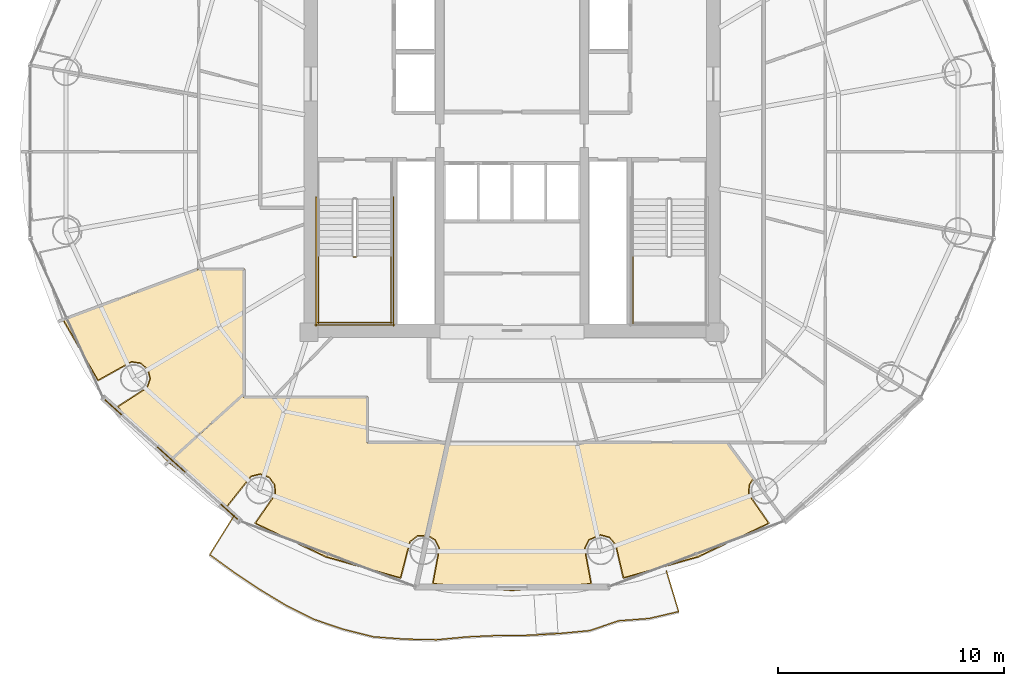
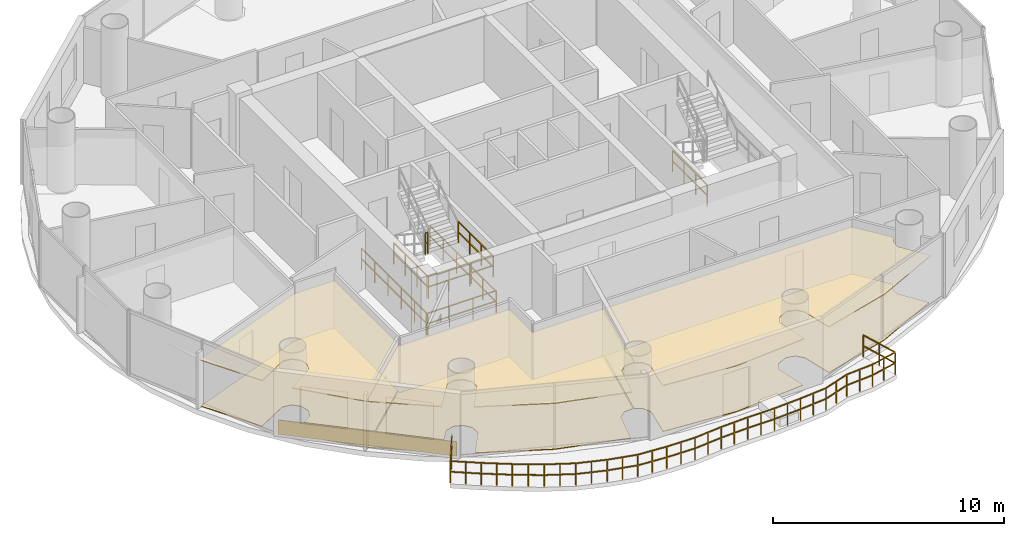
# One storey, part 24 of 26: 9 railings, 7 coverings.
"""IFC4 building model written with IfcOpenShell, lengths in metres."""

from ifc_helpers import new_model, si_unit, direction, frame, origin, origin_2d, place, context, subcontext, project, spatial, polyline, rectangle, outline, extrude, source, transform, mapped, material, layer, layer_set, type_object, element, save


model = new_model("IFC4")

# Units and contexts
model_context = context("Model", 3, precision=1e-05, world=origin(), true_north=direction((-0.2419218956, 0.970295726276)))
body_context = subcontext(model_context, "Body", "Model", "MODEL_VIEW")
ifc_project = project(units=[si_unit("LENGTHUNIT", "METRE"), si_unit("AREAUNIT", "SQUARE_METRE"), si_unit("VOLUMEUNIT", "CUBIC_METRE"), si_unit("PLANEANGLEUNIT", "RADIAN"), si_unit("MASSUNIT", "GRAM", prefix="KILO")], contexts=[model_context])

# Site, building, storey
site_placement = place(None, origin())
site = spatial("IfcSite", under=ifc_project, at=site_placement, CompositionType="ELEMENT")
building_placement = place(site_placement, origin())
building = spatial("IfcBuilding", under=site, at=building_placement, Name="Cobrevalo Terracotta Tower", CompositionType="ELEMENT")
storey_placement = place(building_placement, frame((0.0, 0.0, 228.199951171875)))
storey = spatial("IfcBuildingStorey", under=building, at=storey_placement, Name="L60", CompositionType="ELEMENT", Elevation=228.199951171875)

# Railing
ifc_material_1 = material(Name="Laminated structural glass and stainless steel", Category="steel")
railing_type_1 = type_object("IfcRailingType", Name="Balcony lobe structural glass & terracotta-cap balustrade 1180 mm", PredefinedType="BALUSTRADE", material=ifc_material_1)
railing_1_placement = place(storey_placement, frame((25.697021484375, 10.69091796875, 0.0)))
element("IfcRailing", 1, at=railing_1_placement, inside=storey, type_object=railing_type_1, Name="L60 spiralling balcony lobe balustrade 2", PredefinedType="BALUSTRADE", context=body_context, shape_type="SweptSolid", body=[
    extrude(rectangle(XDim=0.048095703125, YDim=0.048095703125, at=origin_2d()), frame((0.0, 0.0, 1.15576171875), z_axis=(-0.529423535717, -0.848357660323, 0.0), x_axis=(0.848357660323, -0.529423535717, 0.0)), (0.0, 0.0, 1.0), 2.059814453125),
    extrude(rectangle(XDim=0.048095703125, YDim=0.048095703125, at=origin_2d()), frame((0.0, 0.0, 0.58984375), z_axis=(-0.529423535717, -0.848357660323, 0.0), x_axis=(0.848357660323, -0.529423535717, 0.0)), (0.0, 0.0, 1.0), 2.059814453125),
    extrude(rectangle(XDim=0.048095703125, YDim=0.048095703125, at=origin_2d()), frame((-1.090576171875, -1.74755859375, 1.15576171875), z_axis=(0.809333657357, -0.587349156013, 0.0), x_axis=(0.587349156013, 0.809333657357, 0.0)), (0.0, 0.0, 1.0), 1.341796875),
    extrude(rectangle(XDim=0.048095703125, YDim=0.048095703125, at=origin_2d()), frame((-1.090576171875, -1.74755859375, 0.58984375), z_axis=(0.809333657357, -0.587349156013, 0.0), x_axis=(0.587349156013, 0.809333657357, 0.0)), (0.0, 0.0, 1.0), 1.341796875),
    extrude(rectangle(XDim=0.048095703125, YDim=0.048095703125, at=origin_2d()), frame((-0.004638671875, -2.53564453125, 1.15576171875), z_axis=(0.831994903251, -0.554783273868, 0.0), x_axis=(0.554783273868, 0.831994903251, 0.0)), (0.0, 0.0, 1.0), 1.356201171875),
    extrude(rectangle(XDim=0.048095703125, YDim=0.048095703125, at=origin_2d()), frame((-0.004638671875, -2.53564453125, 0.58984375), z_axis=(0.831994903251, -0.554783273868, 0.0), x_axis=(0.554783273868, 0.831994903251, 0.0)), (0.0, 0.0, 1.0), 1.356201171875),
    extrude(rectangle(XDim=0.048095703125, YDim=0.048095703125, at=origin_2d()), frame((1.123779296875, -3.2880859375, 1.15576171875), z_axis=(0.855794215177, -0.517316403441, 0.0), x_axis=(0.517316403441, 0.855794215177, 0.0)), (0.0, 0.0, 1.0), 1.373291015625),
    extrude(rectangle(XDim=0.048095703125, YDim=0.048095703125, at=origin_2d()), frame((1.123779296875, -3.2880859375, 0.58984375), z_axis=(0.855794215177, -0.517316403441, 0.0), x_axis=(0.517316403441, 0.855794215177, 0.0)), (0.0, 0.0, 1.0), 1.373291015625),
    extrude(rectangle(XDim=0.048095703125, YDim=0.048095703125, at=origin_2d()), frame((2.299072265625, -3.99853515625, 1.15576171875), z_axis=(0.894498059169, -0.447071831078, 0.0), x_axis=(0.447071831078, 0.894498059169, 0.0)), (0.0, 0.0, 1.0), 1.377685546875),
    extrude(rectangle(XDim=0.048095703125, YDim=0.048095703125, at=origin_2d()), frame((2.299072265625, -3.99853515625, 0.58984375), z_axis=(0.894498059169, -0.447071831078, 0.0), x_axis=(0.447071831078, 0.894498059169, 0.0)), (0.0, 0.0, 1.0), 1.377685546875),
    extrude(rectangle(XDim=0.048095703125, YDim=0.048095703125, at=origin_2d()), frame((3.531494140625, -4.614501953125, 1.15576171875), z_axis=(0.947154951808, -0.320776397613, 0.0), x_axis=(0.320776397613, 0.947154951808, 0.0)), (0.0, 0.0, 1.0), 1.383544921875),
    extrude(rectangle(XDim=0.048095703125, YDim=0.048095703125, at=origin_2d()), frame((3.531494140625, -4.614501953125, 0.58984375), z_axis=(0.947154951808, -0.320776397613, 0.0), x_axis=(0.320776397613, 0.947154951808, 0.0)), (0.0, 0.0, 1.0), 1.383544921875),
    extrude(rectangle(XDim=0.048095703125, YDim=0.048095703125, at=origin_2d()), frame((4.842041015625, -5.058349609375, 1.15576171875), z_axis=(0.970886062463, -0.239541757769, 0.0), x_axis=(0.239541757769, 0.970886062463, 0.0)), (0.0, 0.0, 1.0), 1.382080078125),
    extrude(rectangle(XDim=0.048095703125, YDim=0.048095703125, at=origin_2d()), frame((4.842041015625, -5.058349609375, 0.58984375), z_axis=(0.970886062463, -0.239541757769, 0.0), x_axis=(0.239541757769, 0.970886062463, 0.0)), (0.0, 0.0, 1.0), 1.382080078125),
    extrude(rectangle(XDim=0.048095703125, YDim=0.048095703125, at=origin_2d()), frame((6.183837890625, -5.389404296875, 1.15576171875), z_axis=(0.997387171065, -0.072241476964, 0.0), x_axis=(0.072241476964, 0.997387171065, 0.0)), (0.0, 0.0, 1.0), 1.395751953125),
    extrude(rectangle(XDim=0.048095703125, YDim=0.048095703125, at=origin_2d()), frame((6.183837890625, -5.389404296875, 0.58984375), z_axis=(0.997387171065, -0.072241476964, 0.0), x_axis=(0.072241476964, 0.997387171065, 0.0)), (0.0, 0.0, 1.0), 1.395751953125),
    extrude(rectangle(XDim=0.048095703125, YDim=0.048095703125, at=origin_2d()), frame((7.575927734375, -5.490234375, 1.15576171875), z_axis=(0.999815530677, -0.019206889821, 0.0), x_axis=(0.019206889821, 0.999815530677, 0.0)), (0.0, 0.0, 1.0), 1.385498046875),
    extrude(rectangle(XDim=0.048095703125, YDim=0.048095703125, at=origin_2d()), frame((7.575927734375, -5.490234375, 0.58984375), z_axis=(0.999815530677, -0.019206889821, 0.0), x_axis=(0.019206889821, 0.999815530677, 0.0)), (0.0, 0.0, 1.0), 1.385498046875),
    extrude(rectangle(XDim=0.048095703125, YDim=0.048095703125, at=origin_2d()), frame((8.961181640625, -5.516845703125, 1.15576171875), z_axis=(0.995635757164, 0.093324375473, 0.0), x_axis=(-0.093324375473, 0.995635757164, 0.0)), (0.0, 0.0, 1.0), 1.38916015625),
    extrude(rectangle(XDim=0.048095703125, YDim=0.048095703125, at=origin_2d()), frame((8.961181640625, -5.516845703125, 0.58984375), z_axis=(0.995635757164, 0.093324375473, 0.0), x_axis=(-0.093324375473, 0.995635757164, 0.0)), (0.0, 0.0, 1.0), 1.38916015625),
    extrude(rectangle(XDim=0.048095703125, YDim=0.048095703125, at=origin_2d()), frame((10.34423828125, -5.38720703125, 1.15576171875), z_axis=(0.999032993426, 0.043966783436, 0.0), x_axis=(-0.043966783436, 0.999032993426, 0.0)), (0.0, 0.0, 1.0), 1.3603515625),
    extrude(rectangle(XDim=0.048095703125, YDim=0.048095703125, at=origin_2d()), frame((10.34423828125, -5.38720703125, 0.58984375), z_axis=(0.999032993426, 0.043966783436, 0.0), x_axis=(-0.043966783436, 0.999032993426, 0.0)), (0.0, 0.0, 1.0), 1.3603515625),
    extrude(rectangle(XDim=0.048095703125, YDim=0.048095703125, at=origin_2d()), frame((11.703369140625, -5.327392578125, 1.15576171875), z_axis=(0.999979935495, 0.006334714523, 0.0), x_axis=(-0.006334714523, 0.999979935495, 0.0)), (0.0, 0.0, 1.0), 1.348876953125),
    extrude(rectangle(XDim=0.048095703125, YDim=0.048095703125, at=origin_2d()), frame((11.703369140625, -5.327392578125, 0.58984375), z_axis=(0.999979935495, 0.006334714523, 0.0), x_axis=(-0.006334714523, 0.999979935495, 0.0)), (0.0, 0.0, 1.0), 1.348876953125),
    extrude(rectangle(XDim=0.048095703125, YDim=0.048095703125, at=origin_2d()), frame((13.05224609375, -5.31884765625, 1.15576171875), z_axis=(0.998263138244, 0.058912705117, 0.0), x_axis=(-0.058912705117, 0.998263138244, 0.0)), (0.0, 0.0, 1.0), 1.35107421875),
    extrude(rectangle(XDim=0.048095703125, YDim=0.048095703125, at=origin_2d()), frame((13.05224609375, -5.31884765625, 0.58984375), z_axis=(0.998263138244, 0.058912705117, 0.0), x_axis=(-0.058912705117, 0.998263138244, 0.0)), (0.0, 0.0, 1.0), 1.35107421875),
    extrude(rectangle(XDim=0.048095703125, YDim=0.048095703125, at=origin_2d()), frame((14.40087890625, -5.2392578125, 1.15576171875), z_axis=(0.995540121308, 0.094339105711, 0.0), x_axis=(-0.094339105711, 0.995540121308, 0.0)), (0.0, 0.0, 1.0), 1.348388671875),
    extrude(rectangle(XDim=0.048095703125, YDim=0.048095703125, at=origin_2d()), frame((14.40087890625, -5.2392578125, 0.58984375), z_axis=(0.995540121308, 0.094339105711, 0.0), x_axis=(-0.094339105711, 0.995540121308, 0.0)), (0.0, 0.0, 1.0), 1.348388671875),
    extrude(rectangle(XDim=0.048095703125, YDim=0.048095703125, at=origin_2d()), frame((15.7431640625, -5.112060546875, 1.15576171875), z_axis=(0.947383494809, 0.320100786883, 0.0), x_axis=(-0.320100786883, 0.947383494809, 0.0)), (0.0, 0.0, 1.0), 1.360595703125),
    extrude(rectangle(XDim=0.048095703125, YDim=0.048095703125, at=origin_2d()), frame((15.7431640625, -5.112060546875, 0.58984375), z_axis=(0.947383494809, 0.320100786883, 0.0), x_axis=(-0.320100786883, 0.947383494809, 0.0)), (0.0, 0.0, 1.0), 1.360595703125),
    extrude(rectangle(XDim=0.048095703125, YDim=0.048095703125, at=origin_2d()), frame((17.0322265625, -4.676513671875, 1.15576171875), z_axis=(0.997164886947, 0.075247513184, 0.0), x_axis=(-0.075247513184, 0.997164886947, 0.0)), (0.0, 0.0, 1.0), 1.35302734375),
    extrude(rectangle(XDim=0.048095703125, YDim=0.048095703125, at=origin_2d()), frame((17.0322265625, -4.676513671875, 0.58984375), z_axis=(0.997164886947, 0.075247513184, 0.0), x_axis=(-0.075247513184, 0.997164886947, 0.0)), (0.0, 0.0, 1.0), 1.35302734375),
    extrude(rectangle(XDim=0.048095703125, YDim=0.048095703125, at=origin_2d()), frame((18.38134765625, -4.57470703125, 1.15576171875), z_axis=(0.973826430355, 0.227292946528, 0.0), x_axis=(-0.227292946528, 0.973826430355, 0.0)), (0.0, 0.0, 1.0), 1.340576171875),
    extrude(rectangle(XDim=0.048095703125, YDim=0.048095703125, at=origin_2d()), frame((18.38134765625, -4.57470703125, 0.58984375), z_axis=(0.973826430355, 0.227292946528, 0.0), x_axis=(-0.227292946528, 0.973826430355, 0.0)), (0.0, 0.0, 1.0), 1.340576171875),
    extrude(rectangle(XDim=0.048095703125, YDim=0.048095703125, at=origin_2d()), frame((19.686767578125, -4.27001953125, 1.15576171875), z_axis=(-0.28821217892, 0.957566572058, 0.0), x_axis=(-0.957566572058, -0.28821217892, 0.0)), (0.0, 0.0, 1.0), 1.8916015625),
    extrude(rectangle(XDim=0.048095703125, YDim=0.048095703125, at=origin_2d()), frame((19.686767578125, -4.27001953125, 0.58984375), z_axis=(-0.28821217892, 0.957566572058, 0.0), x_axis=(-0.957566572058, -0.28821217892, 0.0)), (0.0, 0.0, 1.0), 1.8916015625),
    extrude(rectangle(XDim=0.0419921875, YDim=0.0419921875, at=origin_2d()), origin(), (0.0, 0.0, 1.0), 1.1318359375),
    extrude(rectangle(XDim=0.0419921875, YDim=0.0419921875, at=origin_2d()), frame((-0.54541015625, -0.873779296875, 0.0)), (0.0, 0.0, 1.0), 1.1318359375),
    extrude(rectangle(XDim=0.0419921875, YDim=0.0419921875, at=origin_2d()), frame((-1.090576171875, -1.74755859375, 0.0)), (0.0, 0.0, 1.0), 1.1318359375),
    extrude(rectangle(XDim=0.0419921875, YDim=0.0419921875, at=origin_2d()), frame((-0.547607421875, -2.1416015625, 0.0)), (0.0, 0.0, 1.0), 1.1318359375),
    extrude(rectangle(XDim=0.0419921875, YDim=0.0419921875, at=origin_2d()), frame((-0.004638671875, -2.53564453125, 0.0)), (0.0, 0.0, 1.0), 1.1318359375),
    extrude(rectangle(XDim=0.0419921875, YDim=0.0419921875, at=origin_2d()), frame((0.5595703125, -2.911865234375, 0.0)), (0.0, 0.0, 1.0), 1.1318359375),
    extrude(rectangle(XDim=0.0419921875, YDim=0.0419921875, at=origin_2d()), frame((1.123779296875, -3.2880859375, 0.0)), (0.0, 0.0, 1.0), 1.1318359375),
    extrude(rectangle(XDim=0.0419921875, YDim=0.0419921875, at=origin_2d()), frame((1.71142578125, -3.643310546875, 0.0)), (0.0, 0.0, 1.0), 1.1318359375),
    extrude(rectangle(XDim=0.0419921875, YDim=0.0419921875, at=origin_2d()), frame((2.299072265625, -3.99853515625, 0.0)), (0.0, 0.0, 1.0), 1.1318359375),
    extrude(rectangle(XDim=0.0419921875, YDim=0.0419921875, at=origin_2d()), frame((2.915283203125, -4.306640625, 0.0)), (0.0, 0.0, 1.0), 1.1318359375),
    extrude(rectangle(XDim=0.0419921875, YDim=0.0419921875, at=origin_2d()), frame((3.531494140625, -4.614501953125, 0.0)), (0.0, 0.0, 1.0), 1.1318359375),
    extrude(rectangle(XDim=0.0419921875, YDim=0.0419921875, at=origin_2d()), frame((4.186767578125, -4.83642578125, 0.0)), (0.0, 0.0, 1.0), 1.1318359375),
    extrude(rectangle(XDim=0.0419921875, YDim=0.0419921875, at=origin_2d()), frame((4.842041015625, -5.058349609375, 0.0)), (0.0, 0.0, 1.0), 1.1318359375),
    extrude(rectangle(XDim=0.0419921875, YDim=0.0419921875, at=origin_2d()), frame((5.512939453125, -5.223876953125, 0.0)), (0.0, 0.0, 1.0), 1.1318359375),
    extrude(rectangle(XDim=0.0419921875, YDim=0.0419921875, at=origin_2d()), frame((6.183837890625, -5.389404296875, 0.0)), (0.0, 0.0, 1.0), 1.1318359375),
    extrude(rectangle(XDim=0.0419921875, YDim=0.0419921875, at=origin_2d()), frame((6.8798828125, -5.43994140625, 0.0)), (0.0, 0.0, 1.0), 1.1318359375),
    extrude(rectangle(XDim=0.0419921875, YDim=0.0419921875, at=origin_2d()), frame((7.575927734375, -5.490234375, 0.0)), (0.0, 0.0, 1.0), 1.1318359375),
    extrude(rectangle(XDim=0.0419921875, YDim=0.0419921875, at=origin_2d()), frame((8.2685546875, -5.50341796875, 0.0)), (0.0, 0.0, 1.0), 1.1318359375),
    extrude(rectangle(XDim=0.0419921875, YDim=0.0419921875, at=origin_2d()), frame((8.961181640625, -5.516845703125, 0.0)), (0.0, 0.0, 1.0), 1.1318359375),
    extrude(rectangle(XDim=0.0419921875, YDim=0.0419921875, at=origin_2d()), frame((9.65283203125, -5.4521484375, 0.0)), (0.0, 0.0, 1.0), 1.1318359375),
    extrude(rectangle(XDim=0.0419921875, YDim=0.0419921875, at=origin_2d()), frame((10.34423828125, -5.38720703125, 0.0)), (0.0, 0.0, 1.0), 1.1318359375),
    extrude(rectangle(XDim=0.0419921875, YDim=0.0419921875, at=origin_2d()), frame((11.02392578125, -5.357421875, 0.0)), (0.0, 0.0, 1.0), 1.1318359375),
    extrude(rectangle(XDim=0.0419921875, YDim=0.0419921875, at=origin_2d()), frame((11.703369140625, -5.327392578125, 0.0)), (0.0, 0.0, 1.0), 1.1318359375),
    extrude(rectangle(XDim=0.0419921875, YDim=0.0419921875, at=origin_2d()), frame((12.3779296875, -5.3232421875, 0.0)), (0.0, 0.0, 1.0), 1.1318359375),
    extrude(rectangle(XDim=0.0419921875, YDim=0.0419921875, at=origin_2d()), frame((13.05224609375, -5.31884765625, 0.0)), (0.0, 0.0, 1.0), 1.1318359375),
    extrude(rectangle(XDim=0.0419921875, YDim=0.0419921875, at=origin_2d()), frame((13.7265625, -5.279052734375, 0.0)), (0.0, 0.0, 1.0), 1.1318359375),
    extrude(rectangle(XDim=0.0419921875, YDim=0.0419921875, at=origin_2d()), frame((14.40087890625, -5.2392578125, 0.0)), (0.0, 0.0, 1.0), 1.1318359375),
    extrude(rectangle(XDim=0.0419921875, YDim=0.0419921875, at=origin_2d()), frame((15.072021484375, -5.17578125, 0.0)), (0.0, 0.0, 1.0), 1.1318359375),
    extrude(rectangle(XDim=0.0419921875, YDim=0.0419921875, at=origin_2d()), frame((15.7431640625, -5.112060546875, 0.0)), (0.0, 0.0, 1.0), 1.1318359375),
    extrude(rectangle(XDim=0.0419921875, YDim=0.0419921875, at=origin_2d()), frame((16.3876953125, -4.894287109375, 0.0)), (0.0, 0.0, 1.0), 1.1318359375),
    extrude(rectangle(XDim=0.0419921875, YDim=0.0419921875, at=origin_2d()), frame((17.0322265625, -4.676513671875, 0.0)), (0.0, 0.0, 1.0), 1.1318359375),
    extrude(rectangle(XDim=0.0419921875, YDim=0.0419921875, at=origin_2d()), frame((17.706787109375, -4.62548828125, 0.0)), (0.0, 0.0, 1.0), 1.1318359375),
    extrude(rectangle(XDim=0.0419921875, YDim=0.0419921875, at=origin_2d()), frame((18.38134765625, -4.57470703125, 0.0)), (0.0, 0.0, 1.0), 1.1318359375),
    extrude(rectangle(XDim=0.0419921875, YDim=0.0419921875, at=origin_2d()), frame((19.0341796875, -4.42236328125, 0.0)), (0.0, 0.0, 1.0), 1.1318359375),
    extrude(rectangle(XDim=0.0419921875, YDim=0.0419921875, at=origin_2d()), frame((19.686767578125, -4.27001953125, 0.0)), (0.0, 0.0, 1.0), 1.1318359375),
    extrude(rectangle(XDim=0.0419921875, YDim=0.0419921875, at=origin_2d()), frame((19.4140625, -3.3642578125, 0.0)), (0.0, 0.0, 1.0), 1.1318359375),
    extrude(rectangle(XDim=0.0419921875, YDim=0.0419921875, at=origin_2d()), frame((19.1416015625, -2.458740234375, 0.0)), (0.0, 0.0, 1.0), 1.1318359375),
])

# Coverings
ifc_material_2 = material(Name="Engineered Brazilian hardwood flooring", Category="wood")
ifc_layer_1 = layer(ifc_material_2, 0.028076171875)
ifc_layer_set_1 = layer_set([ifc_layer_1], Name="Engineered Brazilian hardwood flooring")
covering_type_1 = type_object("IfcCoveringType", Name="Engineered Hardwood Suite Flooring 28", PredefinedType="FLOORING", material=ifc_layer_set_1)
covering_1_placement = place(storey_placement, origin())
element("IfcCovering", 2, at=covering_1_placement, inside=storey, type_object=covering_type_1, Name="Flat L60A Penthouse Family Lounge floor finish", PredefinedType="FLOORING", context=body_context, shape_type="SweptSolid", body=[
    extrude(outline(polyline([(22.779052734375, 13.072265625), (20.546875, 15.4912109375), (21.840087890625, 16.330810546875), (21.985107421875, 16.735107421875), (21.880859375, 17.152099609375), (21.562744140625, 17.44091796875), (21.1376953125, 17.504150390625), (19.662109375, 16.6865234375), (18.132568359375, 19.342041015625), (24.094970703125, 21.57373046875), (26.10498046875, 21.570068359375), (26.10498046875, 16.077880859375), (22.779052734375, 13.072265625)])), origin(), (0.0, 0.0, 1.0), 0.030029296875),
])
covering_2_placement = place(storey_placement, origin())
element("IfcCovering", 3, at=covering_2_placement, inside=storey, type_object=covering_type_1, Name="Flat L60A Private Cinema Room floor finish", PredefinedType="FLOORING", context=body_context, shape_type="SweptSolid", body=[
    extrude(outline(polyline([(26.6455078125, 10.34033203125), (27.522705078125, 11.610107421875), (27.502685546875, 12.039306640625), (27.247802734375, 12.38525390625), (26.843505859375, 12.531005859375), (26.426513671875, 12.427734375), (25.3720703125, 11.108154296875), (22.810302734375, 13.046630859375), (26.10498046875, 16.02392578125), (26.10498046875, 15.905029296875), (31.570068359375, 15.905029296875), (31.570068359375, 13.89501953125), (35.138916015625, 13.89501953125), (34.240234375, 9.812255859375), (33.801025390625, 9.78662109375), (33.462890625, 9.521484375), (33.0517578125, 7.93017578125), (29.763916015625, 8.858642578125), (26.6455078125, 10.34033203125)])), origin(), (0.0, 0.0, 1.0), 0.030029296875),
])
covering_3_placement = place(storey_placement, origin())
element("IfcCovering", 4, at=covering_3_placement, inside=storey, type_object=covering_type_1, Name="Flat L60B Living and Dining Room floor finish", PredefinedType="FLOORING", context=body_context, shape_type="SweptSolid", body=[
    extrude(outline(polyline([(46.236083984375, 8.858642578125), (42.9482421875, 7.93017578125), (42.6083984375, 9.39501953125), (42.32861328125, 9.72119140625), (41.91455078125, 9.836669921875), (41.396240234375, 9.6083984375), (41.2021484375, 9.22509765625), (41.490234375, 7.66845703125), (38.0, 7.380126953125), (34.509765625, 7.66845703125), (34.7978515625, 9.22509765625), (34.603759765625, 9.6083984375), (34.279052734375, 9.802978515625), (35.179931640625, 13.89501953125), (47.51708984375, 13.89501953125), (48.681396484375, 12.320556640625), (48.497314453125, 12.039306640625), (48.477294921875, 11.610107421875), (49.3544921875, 10.34033203125), (46.236083984375, 8.858642578125)])), origin(), (0.0, 0.0, 1.0), 0.030029296875),
])
ifc_material_3 = material(Name="Acoustic perforated gypsum ceiling", Category="gypsum")
ifc_layer_2 = layer(ifc_material_3, 0.050048828125)
ifc_layer_set_2 = layer_set([ifc_layer_2], Name="Acoustic perforated gypsum ceiling")
covering_type_2 = type_object("IfcCoveringType", Name="Perforated Acoustic Gypsum Ceiling 50", PredefinedType="CEILING", material=ifc_layer_set_2)
covering_4_placement = place(storey_placement, frame((0.0, 0.0, 2.445068359375)))
element("IfcCovering", 5, at=covering_4_placement, inside=storey, type_object=covering_type_2, Name="Flat L60A Penthouse Family Lounge acoustic ceiling", PredefinedType="CEILING", context=body_context, shape_type="SweptSolid", body=[
    extrude(outline(polyline([(22.77685546875, 13.009765625), (20.481201171875, 15.50439453125), (21.8037109375, 16.357666015625), (21.93994140625, 16.737548828125), (21.842041015625, 17.12890625), (21.54345703125, 17.39990234375), (21.144287109375, 17.45947265625), (19.650146484375, 16.626953125), (18.068115234375, 19.365966796875), (24.139892578125, 21.638671875), (26.14990234375, 21.614990234375), (26.14990234375, 16.057861328125), (22.77685546875, 13.009765625)])), origin(), (0.0, 0.0, 1.0), 0.050048828125),
])
covering_5_placement = place(storey_placement, frame((0.0, 0.0, 2.445068359375)))
element("IfcCovering", 6, at=covering_5_placement, inside=storey, type_object=covering_type_2, Name="Flat L60A Private Cinema Room acoustic ceiling", PredefinedType="CEILING", context=body_context, shape_type="SweptSolid", body=[
    extrude(outline(polyline([(26.579833984375, 10.327392578125), (27.478759765625, 11.621337890625), (27.460205078125, 12.024169921875), (27.220703125, 12.348876953125), (26.84130859375, 12.48583984375), (26.44970703125, 12.388916015625), (25.3837890625, 11.048583984375), (22.74072265625, 13.044189453125), (26.14990234375, 16.125244140625), (26.14990234375, 15.949951171875), (31.614990234375, 15.949951171875), (31.614990234375, 13.93994140625), (35.19482421875, 13.93994140625), (34.275146484375, 9.76123046875), (33.8173828125, 9.74462890625), (33.499755859375, 9.49560546875), (33.08642578125, 7.878173828125), (29.748291015625, 8.81640625), (26.579833984375, 10.327392578125)])), origin(), (0.0, 0.0, 1.0), 0.050048828125),
])
covering_6_placement = place(storey_placement, frame((0.0, 0.0, 2.445068359375)))
element("IfcCovering", 7, at=covering_6_placement, inside=storey, type_object=covering_type_2, Name="Flat L60B Living and Dining Room acoustic ceiling", PredefinedType="CEILING", context=body_context, shape_type="SweptSolid", body=[
    extrude(outline(polyline([(46.251708984375, 8.81640625), (42.91357421875, 7.878173828125), (42.56689453125, 9.376953125), (42.30419921875, 9.68310546875), (41.915771484375, 9.79150390625), (41.428955078125, 9.5771484375), (41.246826171875, 9.21728515625), (41.544189453125, 7.632568359375), (38.0, 7.3349609375), (34.455810546875, 7.632568359375), (34.753173828125, 9.21728515625), (34.571044921875, 9.5771484375), (34.2265625, 9.77294921875), (35.143798828125, 13.93994140625), (47.539794921875, 13.93994140625), (48.74169921875, 12.314697265625), (48.539794921875, 12.024169921875), (48.521240234375, 11.621337890625), (49.420166015625, 10.327392578125), (46.251708984375, 8.81640625)])), origin(), (0.0, 0.0, 1.0), 0.050048828125),
])

# Railings
ifc_material_4 = material(Name="Painted galvanized steel", Category="steel")
railing_type_2 = type_object("IfcRailingType", Name="Stair Well Guard Balustrade 1150", PredefinedType="GUARDRAIL", material=ifc_material_4)
railing_2_placement = place(storey_placement, frame((30.97509765625, 22.1298828125, 1.85009765625)))
element("IfcRailing", 8, at=railing_2_placement, inside=storey, type_object=railing_type_2, Name="L60 ST-1 stair guard 2", PredefinedType="GUARDRAIL", context=body_context, shape_type="SweptSolid", body=[
    extrude(rectangle(XDim=0.048095703125, YDim=0.048095703125, at=origin_2d()), frame((0.0, 0.0, 1.1259765625), z_axis=(1.0, 0.0, 0.0), x_axis=(0.0, 1.0, 0.0)), (0.0, 0.0, 1.0), 0.119873046875),
    extrude(rectangle(XDim=0.048095703125, YDim=0.048095703125, at=origin_2d()), frame((0.0, 0.0, 0.574951171875), z_axis=(1.0, 0.0, 0.0), x_axis=(0.0, 1.0, 0.0)), (0.0, 0.0, 1.0), 0.119873046875),
    extrude(rectangle(XDim=0.0419921875, YDim=0.0419921875, at=origin_2d()), origin(), (0.0, 0.0, 1.0), 1.101806640625),
    extrude(rectangle(XDim=0.0419921875, YDim=0.0419921875, at=origin_2d()), frame((0.119873046875, 0.0, 0.0)), (0.0, 0.0, 1.0), 1.101806640625),
])
for number, where, name in (
    (9, (29.425048828125, 22.179931640625, 1.85009765625), "L60 ST-1 stair guard 3"),
    (10, (32.64501953125, 22.179931640625, 1.85009765625), "L60 ST-1 stair guard 4"),
):
    element("IfcRailing", number, at=place(storey_placement, frame(where)), inside=storey, type_object=railing_type_2, Name=name, PredefinedType="GUARDRAIL", context=body_context, shape_type="SweptSolid", body=[
        extrude(rectangle(XDim=0.048095703125, YDim=0.048095703125, at=origin_2d()), frame((0.0, 0.0, 1.1259765625), z_axis=(0.0, -1.0, 0.0), x_axis=(1.0, 0.0, 0.0)), (0.0, 0.0, 1.0), 3.0048828125),
        extrude(rectangle(XDim=0.048095703125, YDim=0.048095703125, at=origin_2d()), frame((0.0, 0.0, 0.574951171875), z_axis=(0.0, -1.0, 0.0), x_axis=(1.0, 0.0, 0.0)), (0.0, 0.0, 1.0), 3.0048828125),
        extrude(rectangle(XDim=0.0419921875, YDim=0.0419921875, at=origin_2d()), origin(), (0.0, 0.0, 1.0), 1.101806640625),
        extrude(rectangle(XDim=0.0419921875, YDim=0.0419921875, at=origin_2d()), frame((0.0, -1.001708984375, 0.0)), (0.0, 0.0, 1.0), 1.101806640625),
        extrude(rectangle(XDim=0.0419921875, YDim=0.0419921875, at=origin_2d()), frame((0.0, -2.003173828125, 0.0)), (0.0, 0.0, 1.0), 1.101806640625),
        extrude(rectangle(XDim=0.0419921875, YDim=0.0419921875, at=origin_2d()), frame((0.0, -3.0048828125, 0.0)), (0.0, 0.0, 1.0), 1.101806640625),
    ])
railing_3_placement = place(storey_placement, frame((29.375, 19.22509765625, 1.85009765625)))
element("IfcRailing", 11, at=railing_3_placement, inside=storey, type_object=railing_type_2, Name="L60 ST-1 stair guard 5", PredefinedType="GUARDRAIL", context=body_context, shape_type="SweptSolid", body=[
    extrude(rectangle(XDim=0.048095703125, YDim=0.048095703125, at=origin_2d()), frame((0.0, 0.0, 1.1259765625), z_axis=(1.0, 0.0, 0.0), x_axis=(0.0, 1.0, 0.0)), (0.0, 0.0, 1.0), 3.320068359375),
    extrude(rectangle(XDim=0.048095703125, YDim=0.048095703125, at=origin_2d()), frame((0.0, 0.0, 0.574951171875), z_axis=(1.0, 0.0, 0.0), x_axis=(0.0, 1.0, 0.0)), (0.0, 0.0, 1.0), 3.320068359375),
    extrude(rectangle(XDim=0.0419921875, YDim=0.0419921875, at=origin_2d()), origin(), (0.0, 0.0, 1.0), 1.101806640625),
    extrude(rectangle(XDim=0.0419921875, YDim=0.0419921875, at=origin_2d()), frame((1.106689453125, 0.0, 0.0)), (0.0, 0.0, 1.0), 1.101806640625),
    extrude(rectangle(XDim=0.0419921875, YDim=0.0419921875, at=origin_2d()), frame((2.21337890625, 0.0, 0.0)), (0.0, 0.0, 1.0), 1.101806640625),
    extrude(rectangle(XDim=0.0419921875, YDim=0.0419921875, at=origin_2d()), frame((3.320068359375, 0.0, 0.0)), (0.0, 0.0, 1.0), 1.101806640625),
])
for number, where, name in (
    (12, (29.324951171875, 24.800048828125, 0.0), "L60 ST-1 stair guard 10"),
    (13, (32.7451171875, 24.800048828125, 0.0), "L60 ST-1 stair guard 11"),
):
    element("IfcRailing", number, at=place(storey_placement, frame(where)), inside=storey, type_object=railing_type_2, Name=name, PredefinedType="GUARDRAIL", context=body_context, shape_type="SweptSolid", body=[
        extrude(rectangle(XDim=0.048095703125, YDim=0.048095703125, at=origin_2d()), frame((0.0, 0.0, 1.1259765625), z_axis=(0.0, -1.0, 0.0), x_axis=(1.0, 0.0, 0.0)), (0.0, 0.0, 1.0), 5.72509765625),
        extrude(rectangle(XDim=0.048095703125, YDim=0.048095703125, at=origin_2d()), frame((0.0, 0.0, 0.574951171875), z_axis=(0.0, -1.0, 0.0), x_axis=(1.0, 0.0, 0.0)), (0.0, 0.0, 1.0), 5.72509765625),
        extrude(rectangle(XDim=0.0419921875, YDim=0.0419921875, at=origin_2d()), origin(), (0.0, 0.0, 1.0), 1.101806640625),
        extrude(rectangle(XDim=0.0419921875, YDim=0.0419921875, at=origin_2d()), frame((0.0, -1.14501953125, 0.0)), (0.0, 0.0, 1.0), 1.101806640625),
        extrude(rectangle(XDim=0.0419921875, YDim=0.0419921875, at=origin_2d()), frame((0.0, -2.2900390625, 0.0)), (0.0, 0.0, 1.0), 1.101806640625),
        extrude(rectangle(XDim=0.0419921875, YDim=0.0419921875, at=origin_2d()), frame((0.0, -3.43505859375, 0.0)), (0.0, 0.0, 1.0), 1.101806640625),
        extrude(rectangle(XDim=0.0419921875, YDim=0.0419921875, at=origin_2d()), frame((0.0, -4.580078125, 0.0)), (0.0, 0.0, 1.0), 1.101806640625),
        extrude(rectangle(XDim=0.0419921875, YDim=0.0419921875, at=origin_2d()), frame((0.0, -5.72509765625, 0.0)), (0.0, 0.0, 1.0), 1.101806640625),
    ])
railing_4_placement = place(storey_placement, frame((29.27490234375, 19.125, 0.0)))
element("IfcRailing", 14, at=railing_4_placement, inside=storey, type_object=railing_type_2, Name="L60 ST-1 stair guard 12", PredefinedType="GUARDRAIL", context=body_context, shape_type="SweptSolid", body=[
    extrude(rectangle(XDim=0.048095703125, YDim=0.048095703125, at=origin_2d()), frame((0.0, 0.0, 1.1259765625), z_axis=(1.0, 0.0, 0.0), x_axis=(0.0, 1.0, 0.0)), (0.0, 0.0, 1.0), 3.52001953125),
    extrude(rectangle(XDim=0.048095703125, YDim=0.048095703125, at=origin_2d()), frame((0.0, 0.0, 0.574951171875), z_axis=(1.0, 0.0, 0.0), x_axis=(0.0, 1.0, 0.0)), (0.0, 0.0, 1.0), 3.52001953125),
    extrude(rectangle(XDim=0.0419921875, YDim=0.0419921875, at=origin_2d()), origin(), (0.0, 0.0, 1.0), 1.101806640625),
    extrude(rectangle(XDim=0.0419921875, YDim=0.0419921875, at=origin_2d()), frame((1.17333984375, 0.0, 0.0)), (0.0, 0.0, 1.0), 1.101806640625),
    extrude(rectangle(XDim=0.0419921875, YDim=0.0419921875, at=origin_2d()), frame((2.3466796875, 0.0, 0.0)), (0.0, 0.0, 1.0), 1.101806640625),
    extrude(rectangle(XDim=0.0419921875, YDim=0.0419921875, at=origin_2d()), frame((3.52001953125, 0.0, 0.0)), (0.0, 0.0, 1.0), 1.101806640625),
])
railing_5_placement = place(storey_placement, frame((43.35498046875, 22.179931640625, 1.85009765625)))
element("IfcRailing", 15, at=railing_5_placement, inside=storey, type_object=railing_type_2, Name="L60 ST-2 stair guard 3", PredefinedType="GUARDRAIL", context=body_context, shape_type="SweptSolid", body=[
    extrude(rectangle(XDim=0.048095703125, YDim=0.048095703125, at=origin_2d()), frame((0.0, 0.0, 1.1259765625), z_axis=(0.0, -1.0, 0.0), x_axis=(1.0, 0.0, 0.0)), (0.0, 0.0, 1.0), 3.0048828125),
    extrude(rectangle(XDim=0.048095703125, YDim=0.048095703125, at=origin_2d()), frame((0.0, 0.0, 0.574951171875), z_axis=(0.0, -1.0, 0.0), x_axis=(1.0, 0.0, 0.0)), (0.0, 0.0, 1.0), 3.0048828125),
    extrude(rectangle(XDim=0.0419921875, YDim=0.0419921875, at=origin_2d()), origin(), (0.0, 0.0, 1.0), 1.101806640625),
    extrude(rectangle(XDim=0.0419921875, YDim=0.0419921875, at=origin_2d()), frame((0.0, -1.001708984375, 0.0)), (0.0, 0.0, 1.0), 1.101806640625),
    extrude(rectangle(XDim=0.0419921875, YDim=0.0419921875, at=origin_2d()), frame((0.0, -2.003173828125, 0.0)), (0.0, 0.0, 1.0), 1.101806640625),
    extrude(rectangle(XDim=0.0419921875, YDim=0.0419921875, at=origin_2d()), frame((0.0, -3.0048828125, 0.0)), (0.0, 0.0, 1.0), 1.101806640625),
])

# Covering
ifc_material_5 = material(Name="Glazed terracotta facade cladding tile", Category="masonry")
ifc_layer_3 = layer(ifc_material_5, 0.044921875)
ifc_layer_set_3 = layer_set([ifc_layer_3], Name="Glazed terracotta facade cladding tile")
covering_type_3 = type_object("IfcCoveringType", Name="Architectural terracotta rainscreen spandrel cladding 45 mm", PredefinedType="CLADDING", material=ifc_layer_set_3)
shared_shape = source(origin(), body_context, "Body", "SweptSolid", [
    extrude(rectangle(XDim=7.89501953125, YDim=0.044921875, at=origin_2d()), origin(), (0.0, 0.0, 1.0), 0.760009765625),
])
covering_7_placement = place(storey_placement, frame((22.902099609375, 13.158447265625, 0.0400390625), z_axis=(0.0, 0.0, 1.0), x_axis=(0.741987542015, -0.670413668935, 0.0)))
element("IfcCovering", 16, at=covering_7_placement, inside=storey, type_object=covering_type_3, Name="L60 terracotta spandrel cladding S10", PredefinedType="CLADDING", context=body_context, shape_type="MappedRepresentation", body=[
    mapped(shared_shape, transform((0.0, 0.0, 0.0), scale=1.0)),
])

save(model, "model.ifc")
